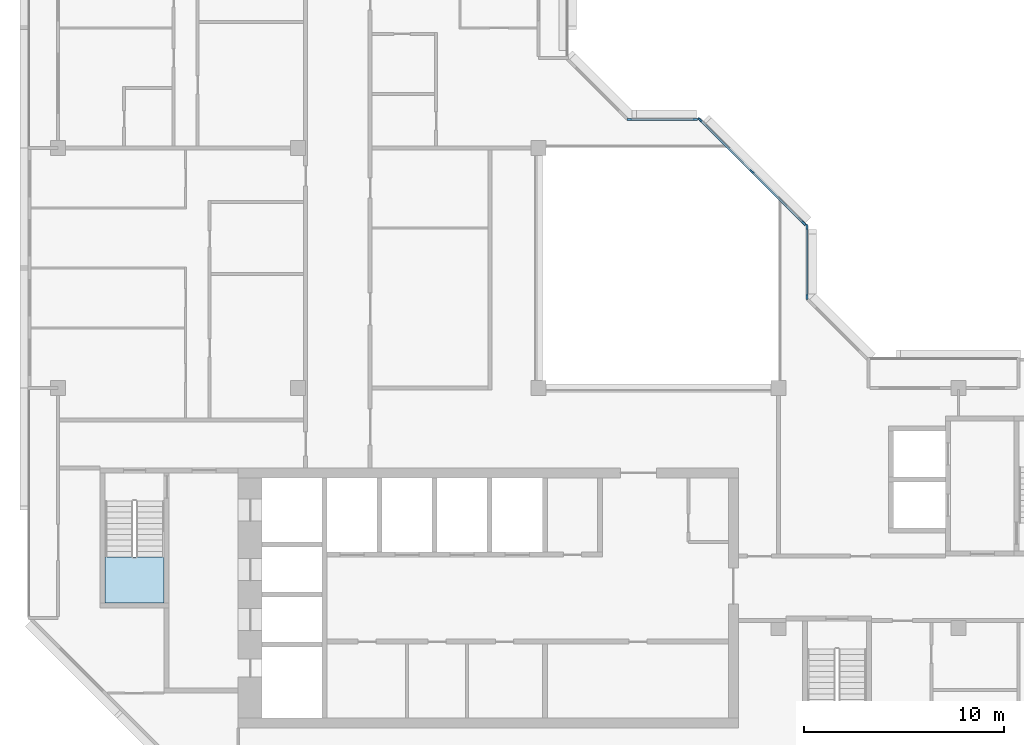
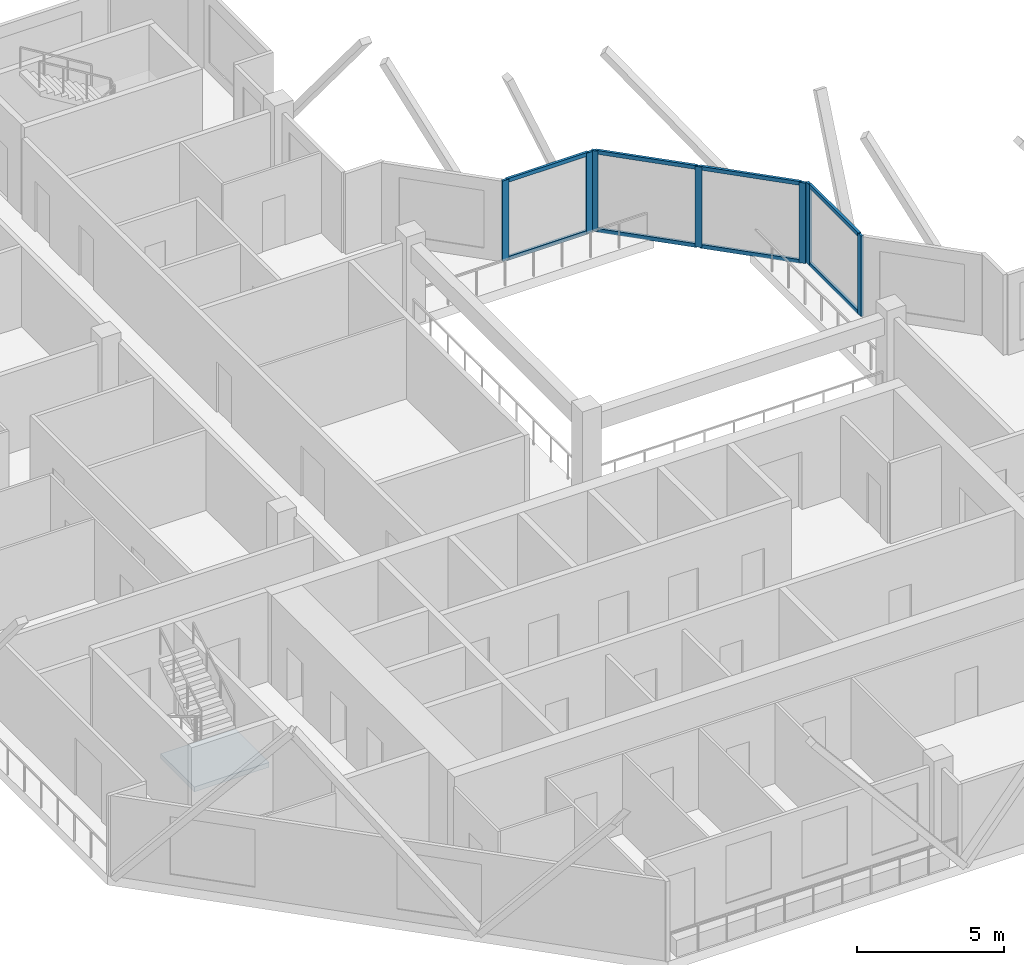
# One storey, part 2 of 11: 15 members, 1 slab, 4 elements without a shape of their own.
"""IFC4 building model written with IfcOpenShell, lengths in metres."""

from ifc_helpers import new_model, si_unit, direction, frame, origin, origin_2d, place, context, subcontext, project, spatial, polyline, rectangle, outline, extrude, material, layer, layer_set, material_profile, profile_set, type_object, element, aggregate, save


model = new_model("IFC4")

# Units and contexts
model_context = context("Model", 3, precision=1e-05, world=origin(), true_north=direction((0.0, 1.0)))
body_context = subcontext(model_context, "Body", "Model", "MODEL_VIEW")
ifc_project = project(units=[si_unit("LENGTHUNIT", "METRE"), si_unit("AREAUNIT", "SQUARE_METRE"), si_unit("VOLUMEUNIT", "CUBIC_METRE"), si_unit("PLANEANGLEUNIT", "RADIAN"), si_unit("MASSUNIT", "GRAM", prefix="KILO")], contexts=[model_context])

# Site, building, storey
site_placement = place(None, origin())
site = spatial("IfcSite", under=ifc_project, at=site_placement, CompositionType="ELEMENT")
building_placement = place(site_placement, origin())
building = spatial("IfcBuilding", under=site, at=building_placement, Name="Chenar Terraces", CompositionType="ELEMENT")
storey_placement = place(building_placement, frame((0.0, 0.0, 376.39990234375)))
storey = spatial("IfcBuildingStorey", under=building, at=storey_placement, Name="L88", CompositionType="ELEMENT", Elevation=376.39990234375)

# Curtain wall, members
ifc_material_1 = material(Name="Aluminium framed glazing", Category="aluminium")
ifc_layer_1 = layer(ifc_material_1, 0.14990234375)
ifc_layer_set_1 = layer_set([ifc_layer_1], Name="Aluminium framed glazing")
curtain_wall_type = type_object("IfcCurtainWallType", Name="Atrium upper-zone curtain wall", PredefinedType="NOTDEFINED", material=ifc_layer_set_1)
placement = place(storey_placement, origin())
curtain_wall_1 = element("IfcCurtainWall", 1, at=placement, inside=storey, type_object=curtain_wall_type, Name="Atrium upper-zone curtain wall", PredefinedType="NOTDEFINED")
ifc_material_2 = material(Name="Aluminium", Category="aluminium")
ifc_material_profile_1 = material_profile(ifc_material_2, rectangle(XDim=0.10009765625, YDim=0.239990234375, at=origin_2d()), Name="Atrium upper-zone glazing mullion 100 x 240")
ifc_profile_set_1 = profile_set([ifc_material_profile_1], Name="Aluminium")
member_type_1 = type_object("IfcMemberType", Name="Atrium upper-zone glazing mullion 100 x 240", PredefinedType="MULLION", material=ifc_profile_set_1)
member_1_placement = place(storey_placement, frame((37.425048828125, 28.550048828125, 0.0), z_axis=(0.0, 0.0, 1.0), x_axis=(-1.0, 0.0, 0.0)))
member_1 = element("IfcMember", 2, at=member_1_placement, type_object=member_type_1, Name="CW8-1 mullion 1", PredefinedType="MULLION", context=body_context, shape_type="SweptSolid", body=[
    extrude(rectangle(XDim=0.10009765625, YDim=0.239990234375, at=origin_2d()), origin(), (0.0, 0.0, 1.0), 3.35009765625),
])
member_2_placement = place(storey_placement, frame((37.425048828125, 32.050048828125, 0.0), z_axis=(0.0, 0.0, 1.0), x_axis=(-1.0, 0.0, 0.0)))
member_2 = element("IfcMember", 3, at=member_2_placement, type_object=member_type_1, Name="CW8-1 mullion 2", PredefinedType="MULLION", context=body_context, shape_type="SweptSolid", body=[
    extrude(rectangle(XDim=0.10009765625, YDim=0.239990234375, at=origin_2d()), origin(), (0.0, 0.0, 1.0), 3.35009765625),
])

curtain_wall_2 = element("IfcCurtainWall", 4, at=placement, inside=storey, type_object=curtain_wall_type, Name="Atrium upper-zone curtain wall", PredefinedType="NOTDEFINED")
member_3_placement = place(storey_placement, frame((37.270263671875, 32.2236328125, 0.0), z_axis=(0.0, 0.0, 1.0), x_axis=(-0.707106781187, -0.707106781187, 0.0)))
member_3 = element("IfcMember", 5, at=member_3_placement, type_object=member_type_1, Name="CW8-2 mullion 1", PredefinedType="MULLION", context=body_context, shape_type="SweptSolid", body=[
    extrude(rectangle(XDim=0.10009765625, YDim=0.239990234375, at=origin_2d()), origin(), (0.0, 0.0, 1.0), 3.35009765625),
])
member_4_placement = place(storey_placement, frame((34.67626953125, 34.817626953125, 0.0), z_axis=(0.0, 0.0, 1.0), x_axis=(-0.707106781187, -0.707106781187, 0.0)))
member_4 = element("IfcMember", 6, at=member_4_placement, type_object=member_type_1, Name="CW8-2 mullion 2", PredefinedType="MULLION", context=body_context, shape_type="SweptSolid", body=[
    extrude(rectangle(XDim=0.10009765625, YDim=0.239990234375, at=origin_2d()), origin(), (0.0, 0.0, 1.0), 3.35009765625),
])
member_5_placement = place(storey_placement, frame((32.082275390625, 37.41162109375, 0.0), z_axis=(0.0, 0.0, 1.0), x_axis=(-0.707106781187, -0.707106781187, 0.0)))
member_5 = element("IfcMember", 7, at=member_5_placement, type_object=member_type_1, Name="CW8-2 mullion 3", PredefinedType="MULLION", context=body_context, shape_type="SweptSolid", body=[
    extrude(rectangle(XDim=0.10009765625, YDim=0.239990234375, at=origin_2d()), origin(), (0.0, 0.0, 1.0), 3.35009765625),
])

curtain_wall_3 = element("IfcCurtainWall", 8, at=placement, inside=storey, type_object=curtain_wall_type, Name="Atrium upper-zone curtain wall", PredefinedType="NOTDEFINED")
member_6_placement = place(storey_placement, frame((31.85009765625, 37.425048828125, 0.0), z_axis=(0.0, 0.0, 1.0), x_axis=(0.0, -1.0, 0.0)))
member_6 = element("IfcMember", 9, at=member_6_placement, type_object=member_type_1, Name="CW8-3 mullion 1", PredefinedType="MULLION", context=body_context, shape_type="SweptSolid", body=[
    extrude(rectangle(XDim=0.10009765625, YDim=0.239990234375, at=origin_2d()), origin(), (0.0, 0.0, 1.0), 3.35009765625),
])
member_7_placement = place(storey_placement, frame((28.550048828125, 37.425048828125, 0.0), z_axis=(0.0, 0.0, 1.0), x_axis=(0.0, -1.0, 0.0)))
member_7 = element("IfcMember", 10, at=member_7_placement, type_object=member_type_1, Name="CW8-3 mullion 2", PredefinedType="MULLION", context=body_context, shape_type="SweptSolid", body=[
    extrude(rectangle(XDim=0.10009765625, YDim=0.239990234375, at=origin_2d()), origin(), (0.0, 0.0, 1.0), 3.35009765625),
])

# Member
ifc_material_3 = material(Name="Aluminium", Category="aluminium")
ifc_material_profile_2 = material_profile(ifc_material_3, rectangle(XDim=0.10009765625, YDim=0.159912109375, at=origin_2d()), Name="Atrium upper-zone glazing transom 100 x 160")
ifc_profile_set_2 = profile_set([ifc_material_profile_2], Name="Aluminium")
member_type_2 = type_object("IfcMemberType", Name="Atrium upper-zone glazing transom 100 x 160", PredefinedType="USERDEFINED", material=ifc_profile_set_2)
member_8_placement = place(storey_placement, frame((37.425048828125, 28.60009765625, 0.050048828125), z_axis=(0.0, 1.0, 0.0), x_axis=(-1.0, 0.0, 0.0)))
member_8 = element("IfcMember", 11, at=member_8_placement, type_object=member_type_2, Name="CW8-1 transom 1.1", ObjectType="TRANSOM", PredefinedType="USERDEFINED", context=body_context, shape_type="SweptSolid", body=[
    extrude(rectangle(XDim=0.10009765625, YDim=0.159912109375, at=origin_2d()), origin(), (0.0, 0.0, 1.0), 3.39990234375),
])

member_9_placement = place(storey_placement, frame((37.425048828125, 28.60009765625, 3.300048828125), z_axis=(0.0, 1.0, 0.0), x_axis=(-1.0, 0.0, 0.0)))
member_9 = element("IfcMember", 12, at=member_9_placement, type_object=member_type_2, Name="CW8-1 transom 1.2", ObjectType="TRANSOM", PredefinedType="USERDEFINED", context=body_context, shape_type="SweptSolid", body=[
    extrude(rectangle(XDim=0.10009765625, YDim=0.159912109375, at=origin_2d()), origin(), (0.0, 0.0, 1.0), 3.39990234375),
])

aggregate(curtain_wall_1, [member_1, member_2, member_8, member_9])

member_10_placement = place(storey_placement, frame((37.23486328125, 32.259033203125, 0.050048828125), z_axis=(-0.707106781187, 0.707106781187, 0.0), x_axis=(-0.707106781187, -0.707106781187, 0.0)))
member_10 = element("IfcMember", 13, at=member_10_placement, type_object=member_type_2, Name="CW8-2 transom 1.1", ObjectType="TRANSOM", PredefinedType="USERDEFINED", context=body_context, shape_type="SweptSolid", body=[
    extrude(rectangle(XDim=0.10009765625, YDim=0.159912109375, at=origin_2d()), origin(), (0.0, 0.0, 1.0), 3.568359375),
])

member_11_placement = place(storey_placement, frame((37.23486328125, 32.259033203125, 3.300048828125), z_axis=(-0.707106781187, 0.707106781187, 0.0), x_axis=(-0.707106781187, -0.707106781187, 0.0)))
member_11 = element("IfcMember", 14, at=member_11_placement, type_object=member_type_2, Name="CW8-2 transom 1.2", ObjectType="TRANSOM", PredefinedType="USERDEFINED", context=body_context, shape_type="SweptSolid", body=[
    extrude(rectangle(XDim=0.10009765625, YDim=0.159912109375, at=origin_2d()), origin(), (0.0, 0.0, 1.0), 3.568359375),
])

member_12_placement = place(storey_placement, frame((34.640869140625, 34.85302734375, 0.050048828125), z_axis=(-0.707106781187, 0.707106781187, 0.0), x_axis=(-0.707106781187, -0.707106781187, 0.0)))
member_12 = element("IfcMember", 15, at=member_12_placement, type_object=member_type_2, Name="CW8-2 transom 2.1", ObjectType="TRANSOM", PredefinedType="USERDEFINED", context=body_context, shape_type="SweptSolid", body=[
    extrude(rectangle(XDim=0.10009765625, YDim=0.159912109375, at=origin_2d()), origin(), (0.0, 0.0, 1.0), 3.568359375),
])

member_13_placement = place(storey_placement, frame((34.640869140625, 34.85302734375, 3.300048828125), z_axis=(-0.707106781187, 0.707106781187, 0.0), x_axis=(-0.707106781187, -0.707106781187, 0.0)))
member_13 = element("IfcMember", 16, at=member_13_placement, type_object=member_type_2, Name="CW8-2 transom 2.2", ObjectType="TRANSOM", PredefinedType="USERDEFINED", context=body_context, shape_type="SweptSolid", body=[
    extrude(rectangle(XDim=0.10009765625, YDim=0.159912109375, at=origin_2d()), origin(), (0.0, 0.0, 1.0), 3.568359375),
])

aggregate(curtain_wall_2, [member_3, member_4, member_5, member_10, member_11, member_12, member_13])

member_14_placement = place(storey_placement, frame((31.800048828125, 37.425048828125, 0.050048828125), z_axis=(-1.0, 0.0, 0.0), x_axis=(0.0, -1.0, 0.0)))
member_14 = element("IfcMember", 17, at=member_14_placement, type_object=member_type_2, Name="CW8-3 transom 1.1", ObjectType="TRANSOM", PredefinedType="USERDEFINED", context=body_context, shape_type="SweptSolid", body=[
    extrude(rectangle(XDim=0.10009765625, YDim=0.159912109375, at=origin_2d()), origin(), (0.0, 0.0, 1.0), 3.199951171875),
])

member_15_placement = place(storey_placement, frame((31.800048828125, 37.425048828125, 3.300048828125), z_axis=(-1.0, 0.0, 0.0), x_axis=(0.0, -1.0, 0.0)))
member_15 = element("IfcMember", 18, at=member_15_placement, type_object=member_type_2, Name="CW8-3 transom 1.2", ObjectType="TRANSOM", PredefinedType="USERDEFINED", context=body_context, shape_type="SweptSolid", body=[
    extrude(rectangle(XDim=0.10009765625, YDim=0.159912109375, at=origin_2d()), origin(), (0.0, 0.0, 1.0), 3.199951171875),
])

aggregate(curtain_wall_3, [member_6, member_7, member_14, member_15])

# Stair, slab
ifc_material_4 = material(Name="Reinforced concrete C40/50", Category="concrete")
stair_type = type_object("IfcStairType", Name="Core stair 1400 half-turn", PredefinedType="HALF_TURN_STAIR", material=ifc_material_4)
stair = element("IfcStair", 19, at=placement, inside=storey, type_object=stair_type, Name="L88 Stair 1", PredefinedType="HALF_TURN_STAIR")
ifc_material_5 = material(Name="Reinforced concrete C40/50", Category="concrete")
ifc_layer_2 = layer(ifc_material_5, 0.199951171875)
ifc_layer_set_2 = layer_set([ifc_layer_2], Name="Reinforced concrete C40/50")
slab_type = type_object("IfcSlabType", Name="Core stair landing 200", PredefinedType="LANDING", material=ifc_layer_set_2)
slab_placement = place(storey_placement, frame((0.0, 0.0, 1.675048828125)))
slab = element("IfcSlab", 20, at=slab_placement, type_object=slab_type, Name="ST1 landing 1", PredefinedType="LANDING", context=body_context, shape_type="SweptSolid", body=[
    extrude(outline(polyline([(2.35009765625, 15.550048828125), (2.35009765625, 13.25), (5.300048828125, 13.25), (5.300048828125, 15.550048828125), (2.35009765625, 15.550048828125)])), origin(), (0.0, 0.0, 1.0), 0.199951171875),
])
aggregate(stair, [slab])

save(model, "model.ifc")
